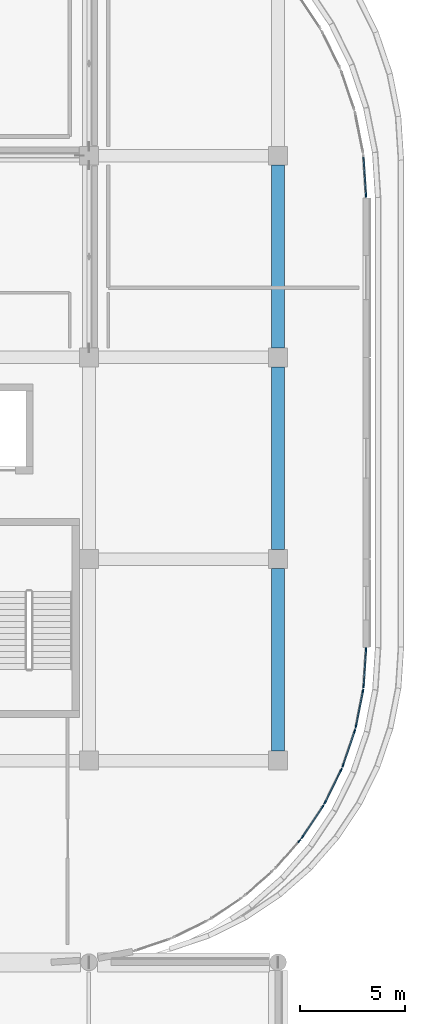
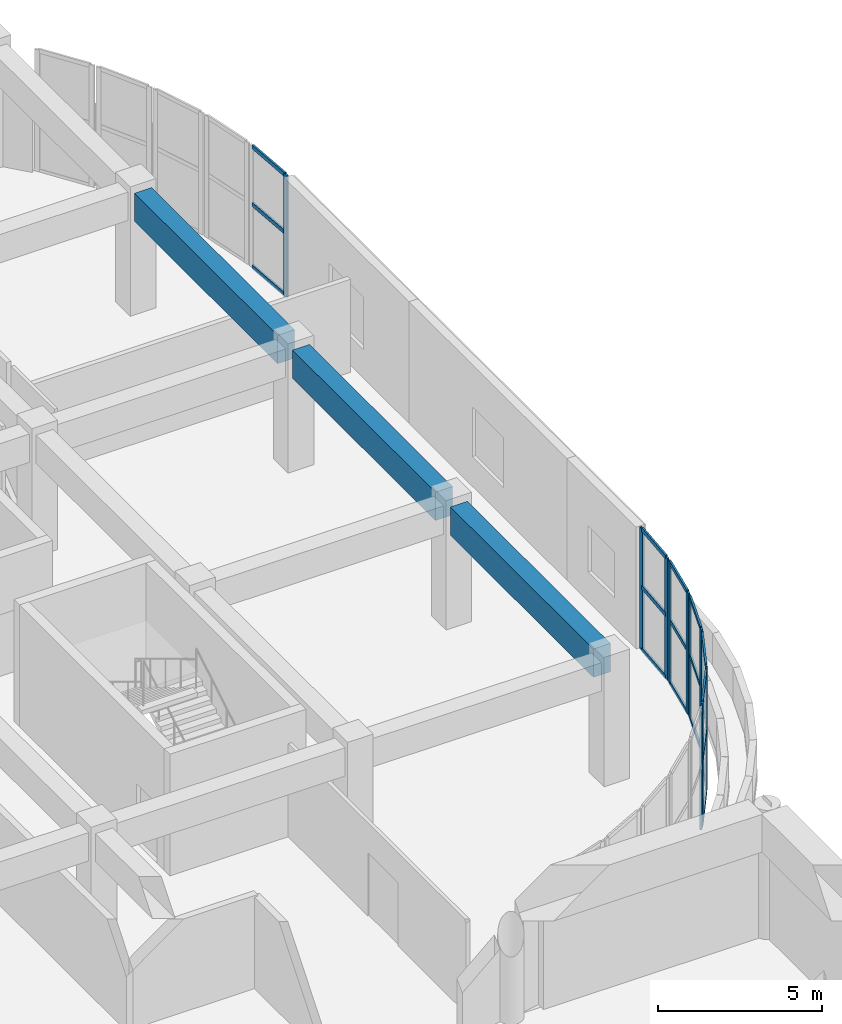
# One storey, part 40 of 96: 30 members, 3 beams, 7 elements without a shape of their own.
"""IFC4 building model written with IfcOpenShell, lengths in metres."""

from ifc_helpers import new_model, si_unit, direction, frame, origin, origin_2d, place, context, subcontext, project, spatial, rectangle, extrude, material, layer, layer_set, material_profile, profile_set, type_object, element, aggregate, save


model = new_model("IFC4")

# Units and contexts
model_context = context("Model", 3, precision=1e-05, world=origin(), true_north=direction((0.0, 1.0)))
body_context = subcontext(model_context, "Body", "Model", "MODEL_VIEW")
ifc_project = project(units=[si_unit("LENGTHUNIT", "METRE"), si_unit("AREAUNIT", "SQUARE_METRE"), si_unit("VOLUMEUNIT", "CUBIC_METRE"), si_unit("PLANEANGLEUNIT", "RADIAN"), si_unit("MASSUNIT", "GRAM", prefix="KILO")], contexts=[model_context])

# Site, building, storey
site_placement = place(None, origin())
site = spatial("IfcSite", under=ifc_project, at=site_placement, CompositionType="ELEMENT")
building_placement = place(site_placement, origin())
building = spatial("IfcBuilding", under=site, at=building_placement, Name="Cendralis Terraced Arcade", CompositionType="ELEMENT")
storey_placement = place(building_placement, frame((0.0, 0.0, 10.199951171875)))
storey = spatial("IfcBuildingStorey", under=building, at=storey_placement, Name="L02", CompositionType="ELEMENT", Elevation=10.199951171875)

# Beams
ifc_material_1 = material(Name="Concrete f'c 35 MPa", Category="concrete")
ifc_material_profile_1 = material_profile(ifc_material_1, rectangle(XDim=0.60009765625, YDim=1.050048828125, at=origin_2d()), Name="RC-BM-600x1050", Category="LoadBearing")
ifc_profile_set_1 = profile_set([ifc_material_profile_1], Name="Concrete f'c 35 MPa")
beam_type = type_object("IfcBeamType", Name="BM-600x1050", PredefinedType="JOIST", material=ifc_profile_set_1)
beam_1_placement = place(storey_placement, frame((166.199951171875, 70.050048828125, 3.989990234375), z_axis=(0.0, 1.0, 0.0), x_axis=(-1.0, 0.0, 0.0)))
element("IfcBeam", 1, at=beam_1_placement, inside=storey, type_object=beam_type, Name="Reinforced Concrete Frame Beam BM-Y-L03-19-H_J", PredefinedType="JOIST", context=body_context, shape_type="SweptSolid", body=[
    extrude(rectangle(XDim=0.60009765625, YDim=1.050048828125, at=origin_2d()), origin(), (0.0, 0.0, 1.0), 8.699951171875),
])
beam_2_placement = place(storey_placement, frame((166.199951171875, 79.64990234375, 3.989990234375), z_axis=(0.0, 1.0, 0.0), x_axis=(-1.0, 0.0, 0.0)))
element("IfcBeam", 2, at=beam_2_placement, inside=storey, type_object=beam_type, Name="Reinforced Concrete Frame Beam BM-Y-L03-19-J_K", PredefinedType="JOIST", context=body_context, shape_type="SweptSolid", body=[
    extrude(rectangle(XDim=0.60009765625, YDim=1.050048828125, at=origin_2d()), origin(), (0.0, 0.0, 1.0), 8.7001953125),
])
beam_3_placement = place(storey_placement, frame((166.199951171875, 89.25, 3.989990234375), z_axis=(0.0, 1.0, 0.0), x_axis=(-1.0, 0.0, 0.0)))
element("IfcBeam", 3, at=beam_3_placement, inside=storey, type_object=beam_type, Name="Reinforced Concrete Frame Beam BM-Y-L03-19-K_L", PredefinedType="JOIST", context=body_context, shape_type="SweptSolid", body=[
    extrude(rectangle(XDim=0.60009765625, YDim=1.050048828125, at=origin_2d()), origin(), (0.0, 0.0, 1.0), 8.699951171875),
])

# Curtain wall, member
ifc_material_2 = material(Name="Anodised aluminium EN AW-6063 T6", Category="aluminium")
ifc_layer = layer(ifc_material_2, 0.179931640625, Name="CW-UNIT-A")
ifc_layer_set = layer_set([ifc_layer], Name="Anodised aluminium EN AW-6063 T6")
curtain_wall_type = type_object("IfcCurtainWallType", Name="CW-UNIT-A", PredefinedType="USERDEFINED", material=ifc_layer_set)
curtain_wall_1_placement = place(storey_placement, origin())
curtain_wall_1 = element("IfcCurtainWall", 4, at=curtain_wall_1_placement, inside=storey, type_object=curtain_wall_type, Name="Exterior Unitised Facade CW-L02-0167", ObjectType="UNITISED FACADE", PredefinedType="USERDEFINED")
ifc_material_profile_2 = material_profile(ifc_material_2, rectangle(XDim=0.06494140625, YDim=0.179931640625, at=origin_2d()), Name="ALU-MUL-65x180")
ifc_profile_set_2 = profile_set([ifc_material_profile_2], Name="Anodised aluminium EN AW-6063 T6")
member_type_1 = type_object("IfcMemberType", Name="CW-UNIT-A-MUL", PredefinedType="MULLION", material=ifc_profile_set_2)
member_1_placement = place(storey_placement, frame((170.39208984375, 96.522216796875, 0.0), z_axis=(0.0, 0.0, 1.0), x_axis=(0.997859242629, 0.065398256097, 0.0)))
member_1 = element("IfcMember", 5, at=member_1_placement, type_object=member_type_1, Name="CW-U1 mullion 2", PredefinedType="MULLION", context=body_context, shape_type="SweptSolid", body=[
    extrude(rectangle(XDim=0.06494140625, YDim=0.179931640625, at=origin_2d()), origin(), (0.0, 0.0, 1.0), 4.51513671875),
])

# Curtain wall, members
curtain_wall_2_placement = place(storey_placement, origin())
curtain_wall_2 = element("IfcCurtainWall", 6, at=curtain_wall_2_placement, inside=storey, type_object=curtain_wall_type, Name="Exterior Unitised Facade CW-L02-0168", ObjectType="UNITISED FACADE", PredefinedType="USERDEFINED")
member_2_placement = place(storey_placement, frame((170.39208984375, 74.877685546875, 0.0), z_axis=(0.0, 0.0, 1.0), x_axis=(0.997860971336, -0.065371873798, 0.0)))
member_2 = element("IfcMember", 7, at=member_2_placement, type_object=member_type_1, Name="CW-U1 mullion 1", PredefinedType="MULLION", context=body_context, shape_type="SweptSolid", body=[
    extrude(rectangle(XDim=0.06494140625, YDim=0.179931640625, at=origin_2d()), origin(), (0.0, 0.0, 1.0), 4.51513671875),
])
member_3_placement = place(storey_placement, frame((170.27978515625, 73.164306640625, 0.0), z_axis=(0.0, 0.0, 1.0), x_axis=(0.997860971336, -0.065371873798, 0.0)))
member_3 = element("IfcMember", 8, at=member_3_placement, type_object=member_type_1, Name="CW-U1 mullion 2", PredefinedType="MULLION", context=body_context, shape_type="SweptSolid", body=[
    extrude(rectangle(XDim=0.06494140625, YDim=0.179931640625, at=origin_2d()), origin(), (0.0, 0.0, 1.0), 4.51513671875),
])

curtain_wall_3_placement = place(storey_placement, origin())
curtain_wall_3 = element("IfcCurtainWall", 9, at=curtain_wall_3_placement, inside=storey, type_object=curtain_wall_type, Name="Exterior Unitised Facade CW-L02-0169", ObjectType="UNITISED FACADE", PredefinedType="USERDEFINED")
member_4_placement = place(storey_placement, frame((170.247802734375, 72.921875, 0.0), z_axis=(0.0, 0.0, 1.0), x_axis=(0.980791618721, -0.195058454434, 0.0)))
member_4 = element("IfcMember", 10, at=member_4_placement, type_object=member_type_1, Name="CW-U1 mullion 1", PredefinedType="MULLION", context=body_context, shape_type="SweptSolid", body=[
    extrude(rectangle(XDim=0.06494140625, YDim=0.179931640625, at=origin_2d()), origin(), (0.0, 0.0, 1.0), 4.51513671875),
])
member_5_placement = place(storey_placement, frame((169.912841796875, 71.23779296875, 0.0), z_axis=(0.0, 0.0, 1.0), x_axis=(0.980791618721, -0.195058454434, 0.0)))
member_5 = element("IfcMember", 11, at=member_5_placement, type_object=member_type_1, Name="CW-U1 mullion 2", PredefinedType="MULLION", context=body_context, shape_type="SweptSolid", body=[
    extrude(rectangle(XDim=0.06494140625, YDim=0.179931640625, at=origin_2d()), origin(), (0.0, 0.0, 1.0), 4.51513671875),
])

curtain_wall_4_placement = place(storey_placement, origin())
curtain_wall_4 = element("IfcCurtainWall", 12, at=curtain_wall_4_placement, inside=storey, type_object=curtain_wall_type, Name="Exterior Unitised Facade CW-L02-0170", ObjectType="UNITISED FACADE", PredefinedType="USERDEFINED")
member_6_placement = place(storey_placement, frame((169.849609375, 71.001708984375, 0.0), z_axis=(0.0, 0.0, 1.0), x_axis=(0.946923811316, -0.321458077458, 0.0)))
member_6 = element("IfcMember", 13, at=member_6_placement, type_object=member_type_1, Name="CW-U1 mullion 1", PredefinedType="MULLION", context=body_context, shape_type="SweptSolid", body=[
    extrude(rectangle(XDim=0.06494140625, YDim=0.179931640625, at=origin_2d()), origin(), (0.0, 0.0, 1.0), 4.51513671875),
])
member_7_placement = place(storey_placement, frame((169.297607421875, 69.375732421875, 0.0), z_axis=(0.0, 0.0, 1.0), x_axis=(0.946923811316, -0.321458077458, 0.0)))
member_7 = element("IfcMember", 14, at=member_7_placement, type_object=member_type_1, Name="CW-U1 mullion 2", PredefinedType="MULLION", context=body_context, shape_type="SweptSolid", body=[
    extrude(rectangle(XDim=0.06494140625, YDim=0.179931640625, at=origin_2d()), origin(), (0.0, 0.0, 1.0), 4.51513671875),
])

curtain_wall_5_placement = place(storey_placement, origin())
curtain_wall_5 = element("IfcCurtainWall", 15, at=curtain_wall_5_placement, inside=storey, type_object=curtain_wall_type, Name="Exterior Unitised Facade CW-L02-0171", ObjectType="UNITISED FACADE", PredefinedType="USERDEFINED")
member_8_placement = place(storey_placement, frame((169.2041015625, 69.14990234375, 0.0), z_axis=(0.0, 0.0, 1.0), x_axis=(0.896871480419, -0.442291247495, 0.0)))
member_8 = element("IfcMember", 16, at=member_8_placement, type_object=member_type_1, Name="CW-U1 mullion 1", PredefinedType="MULLION", context=body_context, shape_type="SweptSolid", body=[
    extrude(rectangle(XDim=0.06494140625, YDim=0.179931640625, at=origin_2d()), origin(), (0.0, 0.0, 1.0), 4.51513671875),
])
member_9_placement = place(storey_placement, frame((168.444580078125, 67.60986328125, 0.0), z_axis=(0.0, 0.0, 1.0), x_axis=(0.896871480419, -0.442291247495, 0.0)))
member_9 = element("IfcMember", 17, at=member_9_placement, type_object=member_type_1, Name="CW-U1 mullion 2", PredefinedType="MULLION", context=body_context, shape_type="SweptSolid", body=[
    extrude(rectangle(XDim=0.06494140625, YDim=0.179931640625, at=origin_2d()), origin(), (0.0, 0.0, 1.0), 4.51513671875),
])

curtain_wall_6_placement = place(storey_placement, origin())
curtain_wall_6 = element("IfcCurtainWall", 18, at=curtain_wall_6_placement, inside=storey, type_object=curtain_wall_type, Name="Exterior Unitised Facade CW-L02-0172", ObjectType="UNITISED FACADE", PredefinedType="USERDEFINED")
member_10_placement = place(storey_placement, frame((168.322265625, 67.398193359375, 0.0), z_axis=(0.0, 0.0, 1.0), x_axis=(0.831471454125, -0.555567476528, 0.0)))
member_10 = element("IfcMember", 19, at=member_10_placement, type_object=member_type_1, Name="CW-U1 mullion 1", PredefinedType="MULLION", context=body_context, shape_type="SweptSolid", body=[
    extrude(rectangle(XDim=0.06494140625, YDim=0.179931640625, at=origin_2d()), origin(), (0.0, 0.0, 1.0), 4.51513671875),
])
member_11_placement = place(storey_placement, frame((167.368408203125, 65.970458984375, 0.0), z_axis=(0.0, 0.0, 1.0), x_axis=(0.831471454125, -0.555567476528, 0.0)))
member_11 = element("IfcMember", 20, at=member_11_placement, type_object=member_type_1, Name="CW-U1 mullion 2", PredefinedType="MULLION", context=body_context, shape_type="SweptSolid", body=[
    extrude(rectangle(XDim=0.06494140625, YDim=0.179931640625, at=origin_2d()), origin(), (0.0, 0.0, 1.0), 4.51513671875),
])

# Curtain wall, member
curtain_wall_7_placement = place(storey_placement, origin())
curtain_wall_7 = element("IfcCurtainWall", 21, at=curtain_wall_7_placement, inside=storey, type_object=curtain_wall_type, Name="Exterior Unitised Facade CW-L02-0173", ObjectType="UNITISED FACADE", PredefinedType="USERDEFINED")
member_12_placement = place(storey_placement, frame((167.219482421875, 65.7763671875, 0.0), z_axis=(0.0, 0.0, 1.0), x_axis=(0.751804497477, -0.659386076266, 0.0)))
member_12 = element("IfcMember", 22, at=member_12_placement, type_object=member_type_1, Name="CW-U1 mullion 1", PredefinedType="MULLION", context=body_context, shape_type="SweptSolid", body=[
    extrude(rectangle(XDim=0.06494140625, YDim=0.179931640625, at=origin_2d()), origin(), (0.0, 0.0, 1.0), 4.51513671875),
])
aggregate(curtain_wall_7, [member_12])

# Member
ifc_material_profile_3 = material_profile(ifc_material_2, rectangle(XDim=0.06494140625, YDim=0.14990234375, at=origin_2d()), Name="ALU-TRN-65x150")
ifc_profile_set_3 = profile_set([ifc_material_profile_3], Name="Anodised aluminium EN AW-6063 T6")
member_type_2 = type_object("IfcMemberType", Name="CW-UNIT-A-TRN", PredefinedType="USERDEFINED", material=ifc_profile_set_3)
member_13_placement = place(storey_placement, frame((170.273193359375, 98.333740234375, 0.032470703125), z_axis=(0.065455595019, -0.997855483064, 0.0), x_axis=(0.997855483064, 0.065455595019, 0.0)))
member_13 = element("IfcMember", 23, at=member_13_placement, type_object=member_type_2, Name="CW-U1 transom 1.1", ObjectType="TRANSOM", PredefinedType="USERDEFINED", context=body_context, shape_type="SweptSolid", body=[
    extrude(rectangle(XDim=0.06494140625, YDim=0.14990234375, at=origin_2d()), origin(), (0.0, 0.0, 1.0), 1.782958984375),
])

member_14_placement = place(storey_placement, frame((170.273193359375, 98.333740234375, 2.347900390625), z_axis=(0.065455595019, -0.997855483064, 0.0), x_axis=(0.997855483064, 0.065455595019, 0.0)))
member_14 = element("IfcMember", 24, at=member_14_placement, type_object=member_type_2, Name="CW-U1 transom 1.2", ObjectType="TRANSOM", PredefinedType="USERDEFINED", context=body_context, shape_type="SweptSolid", body=[
    extrude(rectangle(XDim=0.06494140625, YDim=0.14990234375, at=origin_2d()), origin(), (0.0, 0.0, 1.0), 1.782958984375),
])

member_15_placement = place(storey_placement, frame((170.273193359375, 98.333740234375, 4.482666015625), z_axis=(0.065455595019, -0.997855483064, 0.0), x_axis=(0.997855483064, 0.065455595019, 0.0)))
member_15 = element("IfcMember", 25, at=member_15_placement, type_object=member_type_2, Name="CW-U1 transom 1.3", ObjectType="TRANSOM", PredefinedType="USERDEFINED", context=body_context, shape_type="SweptSolid", body=[
    extrude(rectangle(XDim=0.06494140625, YDim=0.14990234375, at=origin_2d()), origin(), (0.0, 0.0, 1.0), 1.782958984375),
])

aggregate(curtain_wall_1, [member_1, member_13, member_14, member_15])

member_16_placement = place(storey_placement, frame((170.389892578125, 74.845458984375, 0.032470703125), z_axis=(-0.065459774551, -0.997855208893, 0.0), x_axis=(0.997855208893, -0.065459774551, 0.0)))
member_16 = element("IfcMember", 26, at=member_16_placement, type_object=member_type_2, Name="CW-U1 transom 1.1", ObjectType="TRANSOM", PredefinedType="USERDEFINED", context=body_context, shape_type="SweptSolid", body=[
    extrude(rectangle(XDim=0.06494140625, YDim=0.14990234375, at=origin_2d()), origin(), (0.0, 0.0, 1.0), 1.65234375),
])

member_17_placement = place(storey_placement, frame((170.389892578125, 74.845458984375, 2.347900390625), z_axis=(-0.065459774551, -0.997855208893, 0.0), x_axis=(0.997855208893, -0.065459774551, 0.0)))
member_17 = element("IfcMember", 27, at=member_17_placement, type_object=member_type_2, Name="CW-U1 transom 1.2", ObjectType="TRANSOM", PredefinedType="USERDEFINED", context=body_context, shape_type="SweptSolid", body=[
    extrude(rectangle(XDim=0.06494140625, YDim=0.14990234375, at=origin_2d()), origin(), (0.0, 0.0, 1.0), 1.65234375),
])

member_18_placement = place(storey_placement, frame((170.389892578125, 74.845458984375, 4.482666015625), z_axis=(-0.065459774551, -0.997855208893, 0.0), x_axis=(0.997855208893, -0.065459774551, 0.0)))
member_18 = element("IfcMember", 28, at=member_18_placement, type_object=member_type_2, Name="CW-U1 transom 1.3", ObjectType="TRANSOM", PredefinedType="USERDEFINED", context=body_context, shape_type="SweptSolid", body=[
    extrude(rectangle(XDim=0.06494140625, YDim=0.14990234375, at=origin_2d()), origin(), (0.0, 0.0, 1.0), 1.65234375),
])

aggregate(curtain_wall_2, [member_2, member_3, member_16, member_17, member_18])

member_19_placement = place(storey_placement, frame((170.241455078125, 72.89013671875, 0.032470703125), z_axis=(-0.195064538134, -0.980790408784, 0.0), x_axis=(0.980790408784, -0.195064538134, 0.0)))
member_19 = element("IfcMember", 29, at=member_19_placement, type_object=member_type_2, Name="CW-U1 transom 1.1", ObjectType="TRANSOM", PredefinedType="USERDEFINED", context=body_context, shape_type="SweptSolid", body=[
    extrude(rectangle(XDim=0.06494140625, YDim=0.14990234375, at=origin_2d()), origin(), (0.0, 0.0, 1.0), 1.652099609375),
])

member_20_placement = place(storey_placement, frame((170.241455078125, 72.89013671875, 2.347900390625), z_axis=(-0.195064538134, -0.980790408784, 0.0), x_axis=(0.980790408784, -0.195064538134, 0.0)))
member_20 = element("IfcMember", 30, at=member_20_placement, type_object=member_type_2, Name="CW-U1 transom 1.2", ObjectType="TRANSOM", PredefinedType="USERDEFINED", context=body_context, shape_type="SweptSolid", body=[
    extrude(rectangle(XDim=0.06494140625, YDim=0.14990234375, at=origin_2d()), origin(), (0.0, 0.0, 1.0), 1.652099609375),
])

member_21_placement = place(storey_placement, frame((170.241455078125, 72.89013671875, 4.482666015625), z_axis=(-0.195064538134, -0.980790408784, 0.0), x_axis=(0.980790408784, -0.195064538134, 0.0)))
member_21 = element("IfcMember", 31, at=member_21_placement, type_object=member_type_2, Name="CW-U1 transom 1.3", ObjectType="TRANSOM", PredefinedType="USERDEFINED", context=body_context, shape_type="SweptSolid", body=[
    extrude(rectangle(XDim=0.06494140625, YDim=0.14990234375, at=origin_2d()), origin(), (0.0, 0.0, 1.0), 1.652099609375),
])

aggregate(curtain_wall_3, [member_4, member_5, member_19, member_20, member_21])

member_22_placement = place(storey_placement, frame((169.839111328125, 70.970947265625, 0.032470703125), z_axis=(-0.321409930755, -0.94694015461, 0.0), x_axis=(0.94694015461, -0.321409930755, 0.0)))
member_22 = element("IfcMember", 32, at=member_22_placement, type_object=member_type_2, Name="CW-U1 transom 1.1", ObjectType="TRANSOM", PredefinedType="USERDEFINED", context=body_context, shape_type="SweptSolid", body=[
    extrude(rectangle(XDim=0.06494140625, YDim=0.14990234375, at=origin_2d()), origin(), (0.0, 0.0, 1.0), 1.652099609375),
])

member_23_placement = place(storey_placement, frame((169.839111328125, 70.970947265625, 2.347900390625), z_axis=(-0.321409930755, -0.94694015461, 0.0), x_axis=(0.94694015461, -0.321409930755, 0.0)))
member_23 = element("IfcMember", 33, at=member_23_placement, type_object=member_type_2, Name="CW-U1 transom 1.2", ObjectType="TRANSOM", PredefinedType="USERDEFINED", context=body_context, shape_type="SweptSolid", body=[
    extrude(rectangle(XDim=0.06494140625, YDim=0.14990234375, at=origin_2d()), origin(), (0.0, 0.0, 1.0), 1.652099609375),
])

member_24_placement = place(storey_placement, frame((169.839111328125, 70.970947265625, 4.482666015625), z_axis=(-0.321409930755, -0.94694015461, 0.0), x_axis=(0.94694015461, -0.321409930755, 0.0)))
member_24 = element("IfcMember", 34, at=member_24_placement, type_object=member_type_2, Name="CW-U1 transom 1.3", ObjectType="TRANSOM", PredefinedType="USERDEFINED", context=body_context, shape_type="SweptSolid", body=[
    extrude(rectangle(XDim=0.06494140625, YDim=0.14990234375, at=origin_2d()), origin(), (0.0, 0.0, 1.0), 1.652099609375),
])

aggregate(curtain_wall_4, [member_6, member_7, member_22, member_23, member_24])

member_25_placement = place(storey_placement, frame((169.189697265625, 69.12060546875, 0.032470703125), z_axis=(-0.442300625853, -0.896866855431, 0.0), x_axis=(0.896866855431, -0.442300625853, 0.0)))
member_25 = element("IfcMember", 35, at=member_25_placement, type_object=member_type_2, Name="CW-U1 transom 1.1", ObjectType="TRANSOM", PredefinedType="USERDEFINED", context=body_context, shape_type="SweptSolid", body=[
    extrude(rectangle(XDim=0.06494140625, YDim=0.14990234375, at=origin_2d()), origin(), (0.0, 0.0, 1.0), 1.652099609375),
])

member_26_placement = place(storey_placement, frame((169.189697265625, 69.12060546875, 2.347900390625), z_axis=(-0.442300625853, -0.896866855431, 0.0), x_axis=(0.896866855431, -0.442300625853, 0.0)))
member_26 = element("IfcMember", 36, at=member_26_placement, type_object=member_type_2, Name="CW-U1 transom 1.2", ObjectType="TRANSOM", PredefinedType="USERDEFINED", context=body_context, shape_type="SweptSolid", body=[
    extrude(rectangle(XDim=0.06494140625, YDim=0.14990234375, at=origin_2d()), origin(), (0.0, 0.0, 1.0), 1.652099609375),
])

member_27_placement = place(storey_placement, frame((169.189697265625, 69.12060546875, 4.482666015625), z_axis=(-0.442300625853, -0.896866855431, 0.0), x_axis=(0.896866855431, -0.442300625853, 0.0)))
member_27 = element("IfcMember", 37, at=member_27_placement, type_object=member_type_2, Name="CW-U1 transom 1.3", ObjectType="TRANSOM", PredefinedType="USERDEFINED", context=body_context, shape_type="SweptSolid", body=[
    extrude(rectangle(XDim=0.06494140625, YDim=0.14990234375, at=origin_2d()), origin(), (0.0, 0.0, 1.0), 1.652099609375),
])

aggregate(curtain_wall_5, [member_8, member_9, member_25, member_26, member_27])

member_28_placement = place(storey_placement, frame((168.30419921875, 67.37109375, 0.032470703125), z_axis=(-0.555552554851, -0.831481424206, 0.0), x_axis=(0.831481424206, -0.555552554851, 0.0)))
member_28 = element("IfcMember", 38, at=member_28_placement, type_object=member_type_2, Name="CW-U1 transom 1.1", ObjectType="TRANSOM", PredefinedType="USERDEFINED", context=body_context, shape_type="SweptSolid", body=[
    extrude(rectangle(XDim=0.06494140625, YDim=0.14990234375, at=origin_2d()), origin(), (0.0, 0.0, 1.0), 1.65185546875),
])

member_29_placement = place(storey_placement, frame((168.30419921875, 67.37109375, 2.347900390625), z_axis=(-0.555552554851, -0.831481424206, 0.0), x_axis=(0.831481424206, -0.555552554851, 0.0)))
member_29 = element("IfcMember", 39, at=member_29_placement, type_object=member_type_2, Name="CW-U1 transom 1.2", ObjectType="TRANSOM", PredefinedType="USERDEFINED", context=body_context, shape_type="SweptSolid", body=[
    extrude(rectangle(XDim=0.06494140625, YDim=0.14990234375, at=origin_2d()), origin(), (0.0, 0.0, 1.0), 1.65185546875),
])

member_30_placement = place(storey_placement, frame((168.30419921875, 67.37109375, 4.482666015625), z_axis=(-0.555552554851, -0.831481424206, 0.0), x_axis=(0.831481424206, -0.555552554851, 0.0)))
member_30 = element("IfcMember", 40, at=member_30_placement, type_object=member_type_2, Name="CW-U1 transom 1.3", ObjectType="TRANSOM", PredefinedType="USERDEFINED", context=body_context, shape_type="SweptSolid", body=[
    extrude(rectangle(XDim=0.06494140625, YDim=0.14990234375, at=origin_2d()), origin(), (0.0, 0.0, 1.0), 1.65185546875),
])

aggregate(curtain_wall_6, [member_10, member_11, member_28, member_29, member_30])

save(model, "model.ifc")
